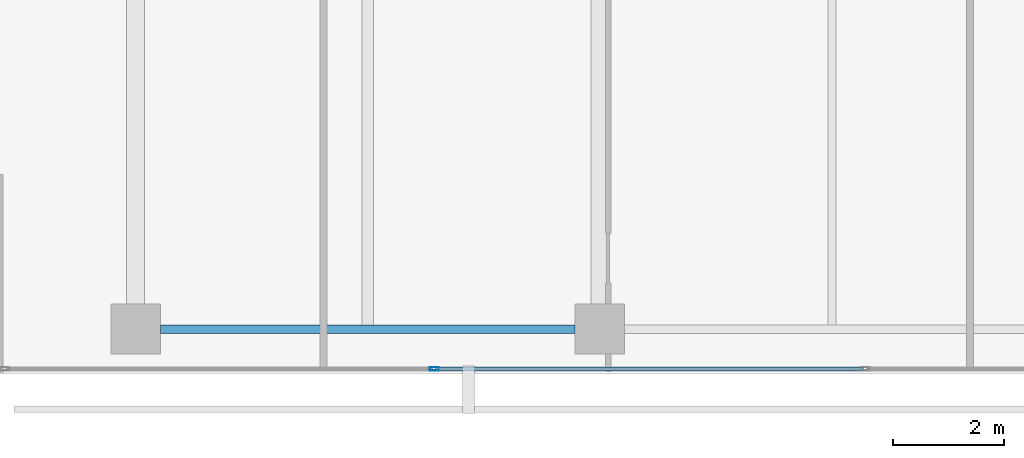
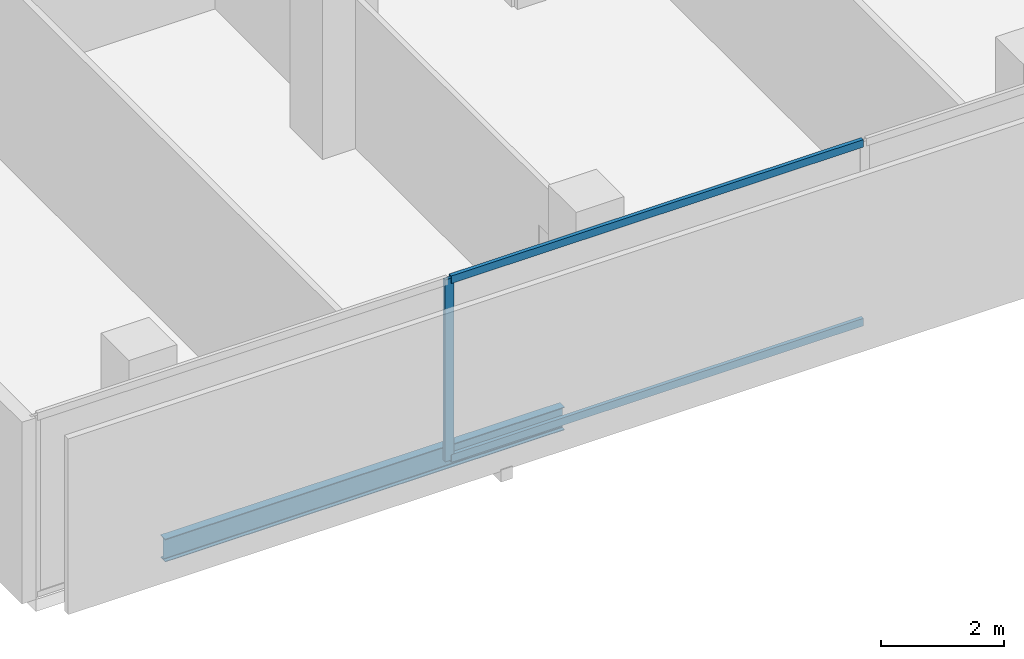
# One storey, part 3 of 39: 3 members, 1 beam, 1 element without a shape of its own.
"""IFC4 building model written with IfcOpenShell, lengths in metres."""

import ifcopenshell
import ifcopenshell.guid

model = None  # the IFC model being written
_history = None  # IfcOwnerHistory: only IFC2X3 demands one
_inside = {}  # id of a spatial element -> (the spatial element, [elements in it])
_under = {}  # id of a project, library or spatial element -> (it, [spatial elements below it])
_declared = {}  # id of a project -> (the project, [libraries it declares])
_typed = {}  # id of a type object -> (the type object, [elements of that type])
_made_of = {}  # id of a material, layer set ... -> (it, [elements and type objects made of it])


def new_model(schema):
    """Start an empty IFC model of exactly this schema.

    Asked for "IFC4X3", IfcOpenShell would pick the latest addendum, in which some entities
    have other attributes; the version numbers below select the first issue.
    IFC2X3 requires an IfcOwnerHistory on every rooted entity: one is made here for all.
    """
    global model, _history
    if schema == "IFC4X3":
        model = ifcopenshell.file(schema_version=(4, 3, 0, 0))
    else:
        model = ifcopenshell.file(schema=schema)
    _inside.clear()
    _under.clear()
    _declared.clear()
    _typed.clear()
    _made_of.clear()
    _history = None
    if model.schema == "IFC2X3":
        org = make("IfcOrganization", Name="unknown")
        user = make(
            "IfcPersonAndOrganization",
            ThePerson=make("IfcPerson", FamilyName="unknown"),
            TheOrganization=org,
        )
        app = make(
            "IfcApplication",
            ApplicationDeveloper=org,
            Version="unknown",
            ApplicationFullName="unknown",
            ApplicationIdentifier="unknown",
        )
        _history = make(
            "IfcOwnerHistory",
            OwningUser=user,
            OwningApplication=app,
            ChangeAction="ADDED",
            CreationDate=0,
        )
    return model


def make(cls, **values):
    """One entity of the class cls with the attributes given. An attribute that is None is left unset."""
    return model.create_entity(
        cls, **{name: value for name, value in values.items() if value is not None}
    )


def rooted(cls, **values):
    """An entity with a GlobalId (a new one), such as an element, a storey or a relation."""
    return make(cls, GlobalId=ifcopenshell.guid.new(), OwnerHistory=_history, **values)


def si_unit(unit_type, name, prefix=None):
    """IfcSIUnit, for example si_unit("LENGTHUNIT", "METRE", prefix="MILLI")."""
    return make("IfcSIUnit", UnitType=unit_type, Prefix=prefix, Name=name)


def assignment(units):
    """IfcUnitAssignment: the units of a project."""
    return None if units is None else make("IfcUnitAssignment", Units=units)


def point(xyz):
    """IfcCartesianPoint."""
    return None if xyz is None else make("IfcCartesianPoint", Coordinates=xyz)


def direction(xyz):
    """IfcDirection."""
    return None if xyz is None else make("IfcDirection", DirectionRatios=xyz)


def frame(location, z_axis=None, x_axis=None):
    """IfcAxis2Placement3D, a coordinate frame: its origin and axes. An axis left out is left unset."""
    return make(
        "IfcAxis2Placement3D",
        Location=point(location),
        Axis=direction(z_axis),
        RefDirection=direction(x_axis),
    )


def frame_2d(location, x_axis=None):
    """IfcAxis2Placement2D, a coordinate frame in the plane: its origin and x axis."""
    return make(
        "IfcAxis2Placement2D", Location=point(location), RefDirection=direction(x_axis)
    )


def origin():
    """The frame at (0, 0, 0) with its axes left unset."""
    return frame((0.0, 0.0, 0.0))


def origin_2d():
    """The frame at (0, 0) in the plane with its x axis left unset."""
    return frame_2d((0.0, 0.0))


def place(relative_to, where):
    """IfcLocalPlacement: puts the frame where relative to a parent placement (None: the world)."""
    return make(
        "IfcLocalPlacement", PlacementRelTo=relative_to, RelativePlacement=where
    )


def context(
    kind, dimensions, precision=None, world=None, true_north=None, identifier=None
):
    """IfcGeometricRepresentationContext, for example the 3D "Model" context."""
    return make(
        "IfcGeometricRepresentationContext",
        ContextIdentifier=identifier,
        ContextType=kind,
        CoordinateSpaceDimension=dimensions,
        Precision=precision,
        WorldCoordinateSystem=world,
        TrueNorth=true_north,
    )


def subcontext(parent, identifier, kind, view, scale=None):
    """IfcGeometricRepresentationSubContext, for example "Body" below "Model"."""
    return make(
        "IfcGeometricRepresentationSubContext",
        ContextIdentifier=identifier,
        ContextType=kind,
        ParentContext=parent,
        TargetScale=scale,
        TargetView=view,
    )


def project(units=None, contexts=None):
    """IfcProject with its units and contexts."""
    return rooted(
        "IfcProject",
        Name="project",
        RepresentationContexts=contexts,
        UnitsInContext=assignment(units),
    )


def spatial(cls, under=None, at=None, **own):
    """A site, building, storey or space (cls), placed at a placement, below another one or the project."""
    s = rooted(cls, ObjectPlacement=at, **own)
    if under is not None:
        _under.setdefault(under.id(), (under, []))[1].append(s)
    return s


def profile(cls, at=None, kind="AREA", **sizes):
    """A parametric profile (cls). Its sizes go by their IFC names, for example OverallWidth=200.0."""
    return make(cls, ProfileType=kind, Position=at, **sizes)


def hollow_rectangle(**sizes):
    """IfcRectangleHollowProfileDef."""
    return profile("IfcRectangleHollowProfileDef", **sizes)


def i_section(**sizes):
    """IfcIShapeProfileDef."""
    return profile("IfcIShapeProfileDef", **sizes)


def extrude(swept, where, along, depth):
    """IfcExtrudedAreaSolid: the profile swept, set in the frame where, extruded along a direction by depth."""
    return make(
        "IfcExtrudedAreaSolid",
        SweptArea=swept,
        Position=where,
        ExtrudedDirection=direction(along),
        Depth=depth,
    )


def shape(context_of_items, identifier, shape_type, items):
    """IfcShapeRepresentation: the items that make up one representation, for example the "Body"."""
    return make(
        "IfcShapeRepresentation",
        ContextOfItems=context_of_items,
        RepresentationIdentifier=identifier,
        RepresentationType=shape_type,
        Items=items,
    )


def material(Name=None, Category=None):
    """IfcMaterial."""
    return make("IfcMaterial", Name=Name, Category=Category)


def layer(
    of_material, thickness, ventilated=None, Name=None, Category=None, Priority=None
):
    """IfcMaterialLayer: one layer of a wall or slab, of a material (None: an air gap)."""
    return make(
        "IfcMaterialLayer",
        Material=of_material,
        LayerThickness=thickness,
        IsVentilated=ventilated,
        Name=Name,
        Category=Category,
        Priority=Priority,
    )


def layer_set(layers, Name=None):
    """IfcMaterialLayerSet."""
    return make("IfcMaterialLayerSet", MaterialLayers=layers, LayerSetName=Name)


def material_profile(
    of_material, cross_section, Name=None, Category=None, Priority=None
):
    """IfcMaterialProfile: a cross section and its material."""
    return make(
        "IfcMaterialProfile",
        Name=Name,
        Material=of_material,
        Profile=cross_section,
        Priority=Priority,
        Category=Category,
    )


def profile_set(profiles, Name=None, composite=None):
    """IfcMaterialProfileSet."""
    return make(
        "IfcMaterialProfileSet",
        Name=Name,
        MaterialProfiles=profiles,
        CompositeProfile=composite,
    )


def made_of(thing, what):
    """Note that an element or type object is made of a material, layer set ...; save() writes the relation."""
    if what is not None:
        _made_of.setdefault(what.id(), (what, []))[1].append(thing)
    return thing


def type_object(cls, material=None, **own):
    """A type object (cls), such as IfcWallType, which elements share."""
    return made_of(rooted(cls, **own), material)


def element(
    cls,
    number,
    at=None,
    inside=None,
    cuts=None,
    type_object=None,
    material=None,
    context=None,
    identifier="Body",
    shape_type=None,
    held_by="IfcProductDefinitionShape",
    body=None,
    shapes=None,
    **own,
):
    """One element of the class cls, such as IfcWall. Its Tag is "e" and its number.

    at: its placement. inside: the storey or other place that contains it. cuts: it is an
    opening in that element (IfcRelVoidsElement). A single representation is given by context,
    identifier, shape_type and body (its items); several are given by shapes. held_by: the class
    of the entity that holds the representations. save() writes the other relations.
    """
    e = rooted(cls, Tag="e%d" % number, ObjectPlacement=at, **own)
    if body is not None:
        shapes = [shape(context, identifier, shape_type, body)]
    if shapes is not None:
        e.Representation = make(held_by, Representations=shapes)
    if inside is not None:
        _inside.setdefault(inside.id(), (inside, []))[1].append(e)
    if cuts is not None:
        rooted(
            "IfcRelVoidsElement", RelatingBuildingElement=cuts, RelatedOpeningElement=e
        )
    if type_object is not None:
        _typed.setdefault(type_object.id(), (type_object, []))[1].append(e)
    return made_of(e, material)


def aggregate(whole, parts):
    """IfcRelAggregates: a whole, such as a stair, and the parts it consists of."""
    return rooted("IfcRelAggregates", RelatingObject=whole, RelatedObjects=parts)


def save(model, path):
    """Write the relations noted so far, then the file.

    IfcRelAggregates (storeys below a building ...), IfcRelContainedInSpatialStructure (elements
    in a storey), IfcRelDefinesByType, IfcRelAssociatesMaterial and IfcRelDeclares: one each for
    every whole, place, type object, material and project.
    """
    for whole, parts in _under.values():
        aggregate(whole, parts)
    for where, things in _inside.values():
        rooted(
            "IfcRelContainedInSpatialStructure",
            RelatedElements=things,
            RelatingStructure=where,
        )
    for kind, things in _typed.values():
        rooted("IfcRelDefinesByType", RelatedObjects=things, RelatingType=kind)
    for what, things in _made_of.values():
        rooted("IfcRelAssociatesMaterial", RelatedObjects=things, RelatingMaterial=what)
    for by, libraries in _declared.values():
        rooted("IfcRelDeclares", RelatingContext=by, RelatedDefinitions=libraries)
    model.write(path)


model = new_model("IFC4")

# Units and contexts
model_context = context("Model", 3, precision=1e-05, world=origin(), true_north=direction((0.0, 1.0)))
body_context = subcontext(model_context, "Body", "Model", "MODEL_VIEW")
ifc_project = project(units=[si_unit("LENGTHUNIT", "METRE"), si_unit("AREAUNIT", "SQUARE_METRE"), si_unit("VOLUMEUNIT", "CUBIC_METRE"), si_unit("PLANEANGLEUNIT", "RADIAN"), si_unit("MASSUNIT", "GRAM", prefix="KILO")], contexts=[model_context])

# Site, building, storey
site_placement = place(None, origin())
site = spatial("IfcSite", under=ifc_project, at=site_placement, CompositionType="ELEMENT")
building_placement = place(site_placement, origin())
building = spatial("IfcBuilding", under=site, at=building_placement, Name="Maruvema Waterfront Hotel and Observation Tower", CompositionType="ELEMENT")
storey_placement = place(building_placement, frame((0.0, 0.0, 69.300048828125)))
storey = spatial("IfcBuildingStorey", under=building, at=storey_placement, Name="L16", CompositionType="ELEMENT", Elevation=69.300048828125)

# Curtain wall, members
ifc_material_1 = material(Name="Anodised bronze aluminium and solar-control low-E IGU", Category="aluminium")
ifc_layer = layer(ifc_material_1, 0.159912109375, Name="Zone 1 Bronze Inner Thermal Curtain Wall System CW-02")
ifc_layer_set = layer_set([ifc_layer], Name="Anodised bronze aluminium and solar-control low-E IGU")
curtain_wall_type = type_object("IfcCurtainWallType", Name="Zone 1 Bronze Inner Thermal Curtain Wall System CW-02", PredefinedType="USERDEFINED", material=ifc_layer_set)
curtain_wall_placement = place(storey_placement, origin())
curtain_wall = element("IfcCurtainWall", 1, at=curtain_wall_placement, inside=storey, type_object=curtain_wall_type, Name="L16 Curtain Wall CW-L16-S", ObjectType="UNITISED CURTAIN WALL", PredefinedType="USERDEFINED")
ifc_material_2 = material(Name="Anodised architectural bronze aluminium", Category="aluminium")
ifc_material_profile_1 = material_profile(ifc_material_2, hollow_rectangle(XDim=0.070068359375, YDim=0.14990234375, WallThickness=0.00390625, at=origin_2d()), Name="ALU-T70x150")
ifc_profile_set_1 = profile_set([ifc_material_profile_1], Name="Anodised architectural bronze aluminium")
member_type_1 = type_object("IfcMemberType", Name="Curtain Wall Horizontal Transom ALU-T70x150", PredefinedType="USERDEFINED", material=ifc_profile_set_1)
member_1_placement = place(storey_placement, frame((22.22998046875, 0.080078125, 0.030029296875), z_axis=(1.0, 0.0, 0.0), x_axis=(0.0, 1.0, 0.0)))
member_1 = element("IfcMember", 2, at=member_1_placement, type_object=member_type_1, Name="CW-02 transom 2.1", ObjectType="TRANSOM", PredefinedType="USERDEFINED", context=body_context, shape_type="SweptSolid", body=[
    extrude(hollow_rectangle(XDim=0.070068359375, YDim=0.14990234375, WallThickness=0.00390625, at=origin_2d()), origin(), (0.0, 0.0, 1.0), 7.739990234375),
])
member_2_placement = place(storey_placement, frame((22.22998046875, 0.080078125, 3.579833984375), z_axis=(1.0, 0.0, 0.0), x_axis=(0.0, 1.0, 0.0)))
member_2 = element("IfcMember", 3, at=member_2_placement, type_object=member_type_1, Name="CW-02 transom 2.2", ObjectType="TRANSOM", PredefinedType="USERDEFINED", context=body_context, shape_type="SweptSolid", body=[
    extrude(hollow_rectangle(XDim=0.070068359375, YDim=0.14990234375, WallThickness=0.00390625, at=origin_2d()), origin(), (0.0, 0.0, 1.0), 7.739990234375),
])
ifc_material_3 = material(Name="Anodised architectural bronze aluminium", Category="aluminium")
ifc_material_profile_2 = material_profile(ifc_material_3, hollow_rectangle(XDim=0.06494140625, YDim=0.1650390625, WallThickness=0.00390625, at=origin_2d()), Name="ALU-M65x165")
ifc_profile_set_2 = profile_set([ifc_material_profile_2], Name="Anodised architectural bronze aluminium")
member_type_2 = type_object("IfcMemberType", Name="Curtain Wall Primary Mullion ALU-M65x165", PredefinedType="MULLION", material=ifc_profile_set_2)
member_3_placement = place(storey_placement, frame((22.199951171875, 0.080078125, 0.0), z_axis=(0.0, 0.0, 1.0), x_axis=(0.0, 1.0, 0.0)))
member_3 = element("IfcMember", 4, at=member_3_placement, type_object=member_type_2, Name="CW-02 mullion 2", PredefinedType="MULLION", context=body_context, shape_type="SweptSolid", body=[
    extrude(hollow_rectangle(XDim=0.06494140625, YDim=0.1650390625, WallThickness=0.00390625, at=origin_2d()), origin(), (0.0, 0.0, 1.0), 3.60986328125),
])
aggregate(curtain_wall, [member_3, member_1, member_2])

# Beam
ifc_material_4 = material(Name="Steel ASTM A572 Grade 50", Category="steel")
ifc_material_profile_3 = material_profile(ifc_material_4, i_section(OverallWidth=0.153076171875, OverallDepth=0.455078125, WebThickness=0.008056640625, FlangeThickness=0.01318359375, FilletRadius=0.014892578125, at=origin_2d()), Name="W460x60.0")
ifc_profile_set_3 = profile_set([ifc_material_profile_3], Name="Steel ASTM A572 Grade 50")
beam_type = type_object("IfcBeamType", Name="Perimeter Spandrel Beam W460x60.0", PredefinedType="SPANDREL", material=ifc_profile_set_3)
beam_placement = place(storey_placement, frame((17.25, 0.800048828125, -0.467529296875), z_axis=(1.0, 0.0, 0.0), x_axis=(0.0, 1.0, 0.0)))
element("IfcBeam", 5, at=beam_placement, inside=storey, type_object=beam_type, Name="L16 Floor Girder EW-01", PredefinedType="SPANDREL", context=body_context, shape_type="SweptSolid", body=[
    extrude(i_section(OverallWidth=0.153076171875, OverallDepth=0.455078125, WebThickness=0.008056640625, FlangeThickness=0.01318359375, FilletRadius=0.014892578125, at=origin_2d()), origin(), (0.0, 0.0, 1.0), 7.5),
])

save(model, "model.ifc")
